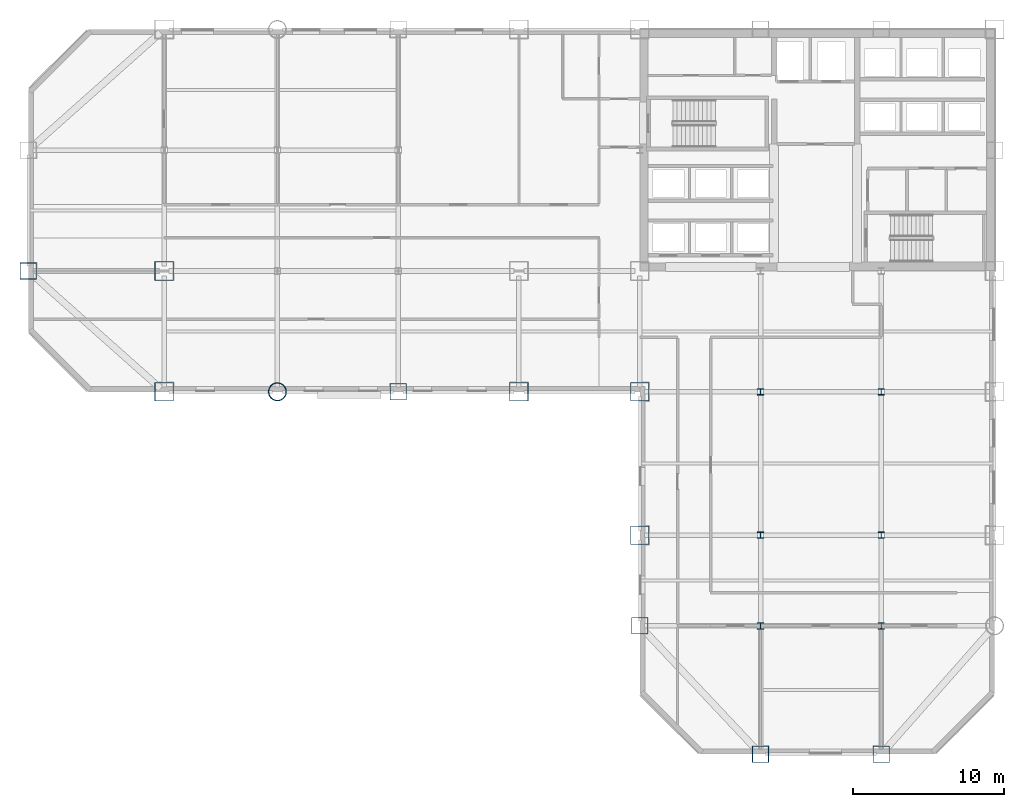
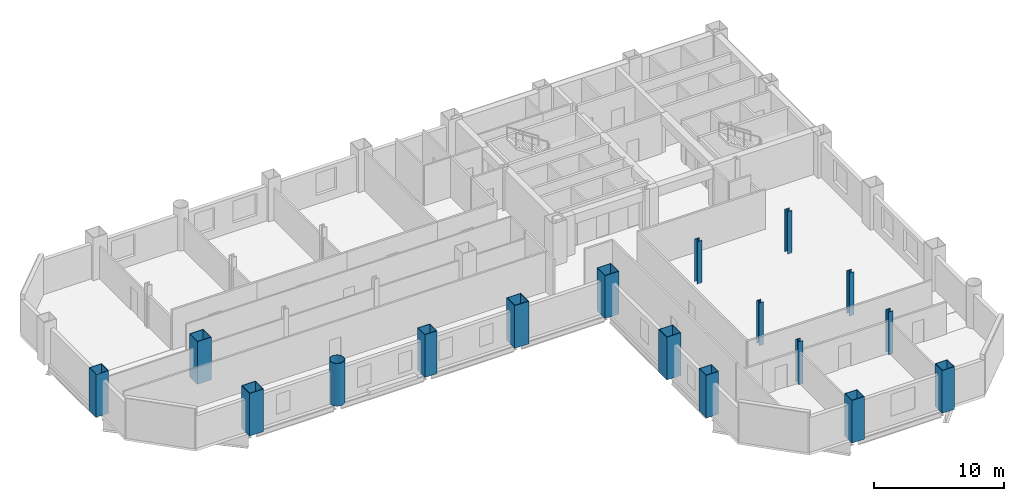
# One storey, part 1 of 9: 17 columns.
"""IFC4 building model written with IfcOpenShell, lengths in metres."""

import ifcopenshell
import ifcopenshell.guid

model = None  # the IFC model being written
_history = None  # IfcOwnerHistory: only IFC2X3 demands one
_inside = {}  # id of a spatial element -> (the spatial element, [elements in it])
_under = {}  # id of a project, library or spatial element -> (it, [spatial elements below it])
_declared = {}  # id of a project -> (the project, [libraries it declares])
_typed = {}  # id of a type object -> (the type object, [elements of that type])
_made_of = {}  # id of a material, layer set ... -> (it, [elements and type objects made of it])


def new_model(schema):
    """Start an empty IFC model of exactly this schema.

    Asked for "IFC4X3", IfcOpenShell would pick the latest addendum, in which some entities
    have other attributes; the version numbers below select the first issue.
    IFC2X3 requires an IfcOwnerHistory on every rooted entity: one is made here for all.
    """
    global model, _history
    if schema == "IFC4X3":
        model = ifcopenshell.file(schema_version=(4, 3, 0, 0))
    else:
        model = ifcopenshell.file(schema=schema)
    _inside.clear()
    _under.clear()
    _declared.clear()
    _typed.clear()
    _made_of.clear()
    _history = None
    if model.schema == "IFC2X3":
        org = make("IfcOrganization", Name="unknown")
        user = make(
            "IfcPersonAndOrganization",
            ThePerson=make("IfcPerson", FamilyName="unknown"),
            TheOrganization=org,
        )
        app = make(
            "IfcApplication",
            ApplicationDeveloper=org,
            Version="unknown",
            ApplicationFullName="unknown",
            ApplicationIdentifier="unknown",
        )
        _history = make(
            "IfcOwnerHistory",
            OwningUser=user,
            OwningApplication=app,
            ChangeAction="ADDED",
            CreationDate=0,
        )
    return model


def make(cls, **values):
    """One entity of the class cls with the attributes given. An attribute that is None is left unset."""
    return model.create_entity(
        cls, **{name: value for name, value in values.items() if value is not None}
    )


def rooted(cls, **values):
    """An entity with a GlobalId (a new one), such as an element, a storey or a relation."""
    return make(cls, GlobalId=ifcopenshell.guid.new(), OwnerHistory=_history, **values)


def si_unit(unit_type, name, prefix=None):
    """IfcSIUnit, for example si_unit("LENGTHUNIT", "METRE", prefix="MILLI")."""
    return make("IfcSIUnit", UnitType=unit_type, Prefix=prefix, Name=name)


def assignment(units):
    """IfcUnitAssignment: the units of a project."""
    return None if units is None else make("IfcUnitAssignment", Units=units)


def point(xyz):
    """IfcCartesianPoint."""
    return None if xyz is None else make("IfcCartesianPoint", Coordinates=xyz)


def direction(xyz):
    """IfcDirection."""
    return None if xyz is None else make("IfcDirection", DirectionRatios=xyz)


def frame(location, z_axis=None, x_axis=None):
    """IfcAxis2Placement3D, a coordinate frame: its origin and axes. An axis left out is left unset."""
    return make(
        "IfcAxis2Placement3D",
        Location=point(location),
        Axis=direction(z_axis),
        RefDirection=direction(x_axis),
    )


def frame_2d(location, x_axis=None):
    """IfcAxis2Placement2D, a coordinate frame in the plane: its origin and x axis."""
    return make(
        "IfcAxis2Placement2D", Location=point(location), RefDirection=direction(x_axis)
    )


def origin():
    """The frame at (0, 0, 0) with its axes left unset."""
    return frame((0.0, 0.0, 0.0))


def origin_2d():
    """The frame at (0, 0) in the plane with its x axis left unset."""
    return frame_2d((0.0, 0.0))


def place(relative_to, where):
    """IfcLocalPlacement: puts the frame where relative to a parent placement (None: the world)."""
    return make(
        "IfcLocalPlacement", PlacementRelTo=relative_to, RelativePlacement=where
    )


def context(
    kind, dimensions, precision=None, world=None, true_north=None, identifier=None
):
    """IfcGeometricRepresentationContext, for example the 3D "Model" context."""
    return make(
        "IfcGeometricRepresentationContext",
        ContextIdentifier=identifier,
        ContextType=kind,
        CoordinateSpaceDimension=dimensions,
        Precision=precision,
        WorldCoordinateSystem=world,
        TrueNorth=true_north,
    )


def subcontext(parent, identifier, kind, view, scale=None):
    """IfcGeometricRepresentationSubContext, for example "Body" below "Model"."""
    return make(
        "IfcGeometricRepresentationSubContext",
        ContextIdentifier=identifier,
        ContextType=kind,
        ParentContext=parent,
        TargetScale=scale,
        TargetView=view,
    )


def project(units=None, contexts=None):
    """IfcProject with its units and contexts."""
    return rooted(
        "IfcProject",
        Name="project",
        RepresentationContexts=contexts,
        UnitsInContext=assignment(units),
    )


def spatial(cls, under=None, at=None, **own):
    """A site, building, storey or space (cls), placed at a placement, below another one or the project."""
    s = rooted(cls, ObjectPlacement=at, **own)
    if under is not None:
        _under.setdefault(under.id(), (under, []))[1].append(s)
    return s


def profile(cls, at=None, kind="AREA", **sizes):
    """A parametric profile (cls). Its sizes go by their IFC names, for example OverallWidth=200.0."""
    return make(cls, ProfileType=kind, Position=at, **sizes)


def hollow_rectangle(**sizes):
    """IfcRectangleHollowProfileDef."""
    return profile("IfcRectangleHollowProfileDef", **sizes)


def hollow_circle(**sizes):
    """IfcCircleHollowProfileDef."""
    return profile("IfcCircleHollowProfileDef", **sizes)


def i_section(**sizes):
    """IfcIShapeProfileDef."""
    return profile("IfcIShapeProfileDef", **sizes)


def extrude(swept, where, along, depth):
    """IfcExtrudedAreaSolid: the profile swept, set in the frame where, extruded along a direction by depth."""
    return make(
        "IfcExtrudedAreaSolid",
        SweptArea=swept,
        Position=where,
        ExtrudedDirection=direction(along),
        Depth=depth,
    )


def shape(context_of_items, identifier, shape_type, items):
    """IfcShapeRepresentation: the items that make up one representation, for example the "Body"."""
    return make(
        "IfcShapeRepresentation",
        ContextOfItems=context_of_items,
        RepresentationIdentifier=identifier,
        RepresentationType=shape_type,
        Items=items,
    )


def material(Name=None, Category=None):
    """IfcMaterial."""
    return make("IfcMaterial", Name=Name, Category=Category)


def material_profile(
    of_material, cross_section, Name=None, Category=None, Priority=None
):
    """IfcMaterialProfile: a cross section and its material."""
    return make(
        "IfcMaterialProfile",
        Name=Name,
        Material=of_material,
        Profile=cross_section,
        Priority=Priority,
        Category=Category,
    )


def profile_set(profiles, Name=None, composite=None):
    """IfcMaterialProfileSet."""
    return make(
        "IfcMaterialProfileSet",
        Name=Name,
        MaterialProfiles=profiles,
        CompositeProfile=composite,
    )


def made_of(thing, what):
    """Note that an element or type object is made of a material, layer set ...; save() writes the relation."""
    if what is not None:
        _made_of.setdefault(what.id(), (what, []))[1].append(thing)
    return thing


def type_object(cls, material=None, **own):
    """A type object (cls), such as IfcWallType, which elements share."""
    return made_of(rooted(cls, **own), material)


def element(
    cls,
    number,
    at=None,
    inside=None,
    cuts=None,
    type_object=None,
    material=None,
    context=None,
    identifier="Body",
    shape_type=None,
    held_by="IfcProductDefinitionShape",
    body=None,
    shapes=None,
    **own,
):
    """One element of the class cls, such as IfcWall. Its Tag is "e" and its number.

    at: its placement. inside: the storey or other place that contains it. cuts: it is an
    opening in that element (IfcRelVoidsElement). A single representation is given by context,
    identifier, shape_type and body (its items); several are given by shapes. held_by: the class
    of the entity that holds the representations. save() writes the other relations.
    """
    e = rooted(cls, Tag="e%d" % number, ObjectPlacement=at, **own)
    if body is not None:
        shapes = [shape(context, identifier, shape_type, body)]
    if shapes is not None:
        e.Representation = make(held_by, Representations=shapes)
    if inside is not None:
        _inside.setdefault(inside.id(), (inside, []))[1].append(e)
    if cuts is not None:
        rooted(
            "IfcRelVoidsElement", RelatingBuildingElement=cuts, RelatedOpeningElement=e
        )
    if type_object is not None:
        _typed.setdefault(type_object.id(), (type_object, []))[1].append(e)
    return made_of(e, material)


def aggregate(whole, parts):
    """IfcRelAggregates: a whole, such as a stair, and the parts it consists of."""
    return rooted("IfcRelAggregates", RelatingObject=whole, RelatedObjects=parts)


def save(model, path):
    """Write the relations noted so far, then the file.

    IfcRelAggregates (storeys below a building ...), IfcRelContainedInSpatialStructure (elements
    in a storey), IfcRelDefinesByType, IfcRelAssociatesMaterial and IfcRelDeclares: one each for
    every whole, place, type object, material and project.
    """
    for whole, parts in _under.values():
        aggregate(whole, parts)
    for where, things in _inside.values():
        rooted(
            "IfcRelContainedInSpatialStructure",
            RelatedElements=things,
            RelatingStructure=where,
        )
    for kind, things in _typed.values():
        rooted("IfcRelDefinesByType", RelatedObjects=things, RelatingType=kind)
    for what, things in _made_of.values():
        rooted("IfcRelAssociatesMaterial", RelatedObjects=things, RelatingMaterial=what)
    for by, libraries in _declared.values():
        rooted("IfcRelDeclares", RelatingContext=by, RelatedDefinitions=libraries)
    model.write(path)


model = new_model("IFC4")

# Units and contexts
model_context = context("Model", 3, precision=1e-05, world=origin(), true_north=direction((0.0, 1.0)))
body_context = subcontext(model_context, "Body", "Model", "MODEL_VIEW")
ifc_project = project(units=[si_unit("LENGTHUNIT", "METRE"), si_unit("AREAUNIT", "SQUARE_METRE"), si_unit("VOLUMEUNIT", "CUBIC_METRE"), si_unit("PLANEANGLEUNIT", "RADIAN"), si_unit("MASSUNIT", "GRAM", prefix="KILO")], contexts=[model_context])

# Site, building, storey
site_placement = place(None, origin())
site = spatial("IfcSite", under=ifc_project, at=site_placement, CompositionType="ELEMENT")
building_placement = place(site_placement, origin())
building = spatial("IfcBuilding", under=site, at=building_placement, Name="Qianrong Seaharbour Tower", CompositionType="ELEMENT")
storey_placement = place(building_placement, frame((0.0, 0.0, 44.199951171875)))
storey = spatial("IfcBuildingStorey", under=building, at=storey_placement, Name="L10", CompositionType="ELEMENT", Elevation=44.199951171875)

# Columns
ifc_material = material(Name="Structural steel SN490B", Category="steel")
ifc_material_profile_1 = material_profile(ifc_material, hollow_rectangle(XDim=1.25, YDim=1.25, WallThickness=0.044921875, at=origin_2d()), Name="BOX1250x1250x45")
ifc_profile_set_1 = profile_set([ifc_material_profile_1], Name="Structural steel SN490B")
column_type_1 = type_object("IfcColumnType", Name="COL-CFT-1250", PredefinedType="COLUMN", material=ifc_profile_set_1)
for number, where, z_axis, x_axis, name in (
    (1, (9.0, 28.0, 0.0), (0.0, 0.0, 1.0), (1.0, 0.0, 0.0), "L10 Column MC-2 at G2/GE"),
    (2, (9.0, 36.0, 0.0), (0.0, 0.0, 1.0), (1.0, 0.0, 0.0), "L10 Column MC-2 at G2/GF"),
    (3, (32.5, 28.0, 0.0), (0.0, 0.0, 1.0), (1.0, 0.0, 0.0), "L10 Column MC-2 at G5/GE"),
    (4, (40.5, 18.5, 0.0), (0.0, 0.0, 1.0), (1.0, 0.0, 0.0), "L10 Column MC-2 at G6/GD"),
    (5, (40.5, 28.0, 0.0), (0.0, 0.0, 1.0), (1.0, 0.0, 0.0), "L10 Column MC-2 at G6/GE"),
):
    element("IfcColumn", number, at=place(storey_placement, frame(where, z_axis=z_axis, x_axis=x_axis)), inside=storey, type_object=column_type_1, Name=name, PredefinedType="COLUMN", context=body_context, shape_type="SweptSolid", body=[
        extrude(hollow_rectangle(XDim=1.25, YDim=1.25, WallThickness=0.044921875, at=origin_2d()), origin(), (0.0, 0.0, 1.0), 4.0),
    ])
ifc_material_profile_2 = material_profile(ifc_material, hollow_circle(Radius=0.60009765625, WallThickness=0.0400390625, at=origin_2d()), Name="CHS1200x40")
ifc_profile_set_2 = profile_set([ifc_material_profile_2], Name="Structural steel SN490B")
column_type_2 = type_object("IfcColumnType", Name="COL-CHS-1200", PredefinedType="COLUMN", material=ifc_profile_set_2)
column_placement = place(storey_placement, frame((16.5, 28.0, 0.0), z_axis=(0.0, 0.0, 1.0), x_axis=(1.0, 0.0, 0.0)))
element("IfcColumn", 6, at=column_placement, inside=storey, type_object=column_type_2, Name="L10 Column CC-1 at G3/GE", PredefinedType="COLUMN", context=body_context, shape_type="SweptSolid", body=[
    extrude(hollow_circle(Radius=0.60009765625, WallThickness=0.0400390625, at=origin_2d()), origin(), (0.0, 0.0, 1.0), 4.0),
])
ifc_material_profile_3 = material_profile(ifc_material, i_section(OverallWidth=0.406982421875, OverallDepth=0.427978515625, WebThickness=0.02001953125, FlangeThickness=0.034912109375, FilletRadius=0.02197265625, at=origin_2d()), Name="H428x407x20x35")
ifc_profile_set_3 = profile_set([ifc_material_profile_3], Name="Structural steel SN490B")
column_type_3 = type_object("IfcColumnType", Name="COL-INT-H428", PredefinedType="COLUMN", material=ifc_profile_set_3)
for number, where, z_axis, x_axis, name in (
    (7, (48.5, 12.5, 0.0), (0.0, 0.0, 1.0), (1.0, 0.0, 0.0), "L10 Column IC-2 at G7/GC"),
    (8, (48.5, 18.5, 0.0), (0.0, 0.0, 1.0), (1.0, 0.0, 0.0), "L10 Column IC-2 at G7/GD"),
    (9, (48.5, 28.0, 0.0), (0.0, 0.0, 1.0), (1.0, 0.0, 0.0), "L10 Column IC-2 at G7/GE"),
    (10, (56.5, 12.5, 0.0), (0.0, 0.0, 1.0), (1.0, 0.0, 0.0), "L10 Column IC-2 at G8/GC"),
    (11, (56.5, 18.5, 0.0), (0.0, 0.0, 1.0), (1.0, 0.0, 0.0), "L10 Column IC-2 at G8/GD"),
    (12, (56.5, 28.0, 0.0), (0.0, 0.0, 1.0), (1.0, 0.0, 0.0), "L10 Column IC-2 at G8/GE"),
):
    element("IfcColumn", number, at=place(storey_placement, frame(where, z_axis=z_axis, x_axis=x_axis)), inside=storey, type_object=column_type_3, Name=name, PredefinedType="COLUMN", context=body_context, shape_type="SweptSolid", body=[
        extrude(i_section(OverallWidth=0.406982421875, OverallDepth=0.427978515625, WebThickness=0.02001953125, FlangeThickness=0.034912109375, FilletRadius=0.02197265625, at=origin_2d()), origin(), (0.0, 0.0, 1.0), 4.0),
    ])
ifc_material_profile_4 = material_profile(ifc_material, hollow_rectangle(XDim=1.10009765625, YDim=1.10009765625, WallThickness=0.0400390625, at=origin_2d()), Name="BOX1100x1100x40")
ifc_profile_set_4 = profile_set([ifc_material_profile_4], Name="Structural steel SN490B")
column_type_4 = type_object("IfcColumnType", Name="COL-PER-1100", PredefinedType="COLUMN", material=ifc_profile_set_4)
for number, where, z_axis, x_axis, name in (
    (13, (0.0, 36.0, 0.0), (0.0, 0.0, 1.0), (1.0, 0.0, 0.0), "L10 Column PC-1 at G1/GF"),
    (14, (24.5, 28.0, 0.0), (0.0, 0.0, 1.0), (1.0, 0.0, 0.0), "L10 Column PC-1 at G4/GE"),
    (15, (40.5, 12.5, 0.0), (0.0, 0.0, 1.0), (1.0, 0.0, 0.0), "L10 Column PC-1 at G6/GC"),
    (16, (48.5, 4.0, 0.0), (0.0, 0.0, 1.0), (1.0, 0.0, 0.0), "L10 Column PC-1 at G7/GB"),
    (17, (56.5, 4.0, 0.0), (0.0, 0.0, 1.0), (1.0, 0.0, 0.0), "L10 Column PC-1 at G8/GB"),
):
    element("IfcColumn", number, at=place(storey_placement, frame(where, z_axis=z_axis, x_axis=x_axis)), inside=storey, type_object=column_type_4, Name=name, PredefinedType="COLUMN", context=body_context, shape_type="SweptSolid", body=[
        extrude(hollow_rectangle(XDim=1.10009765625, YDim=1.10009765625, WallThickness=0.0400390625, at=origin_2d()), origin(), (0.0, 0.0, 1.0), 4.0),
    ])

save(model, "model.ifc")
